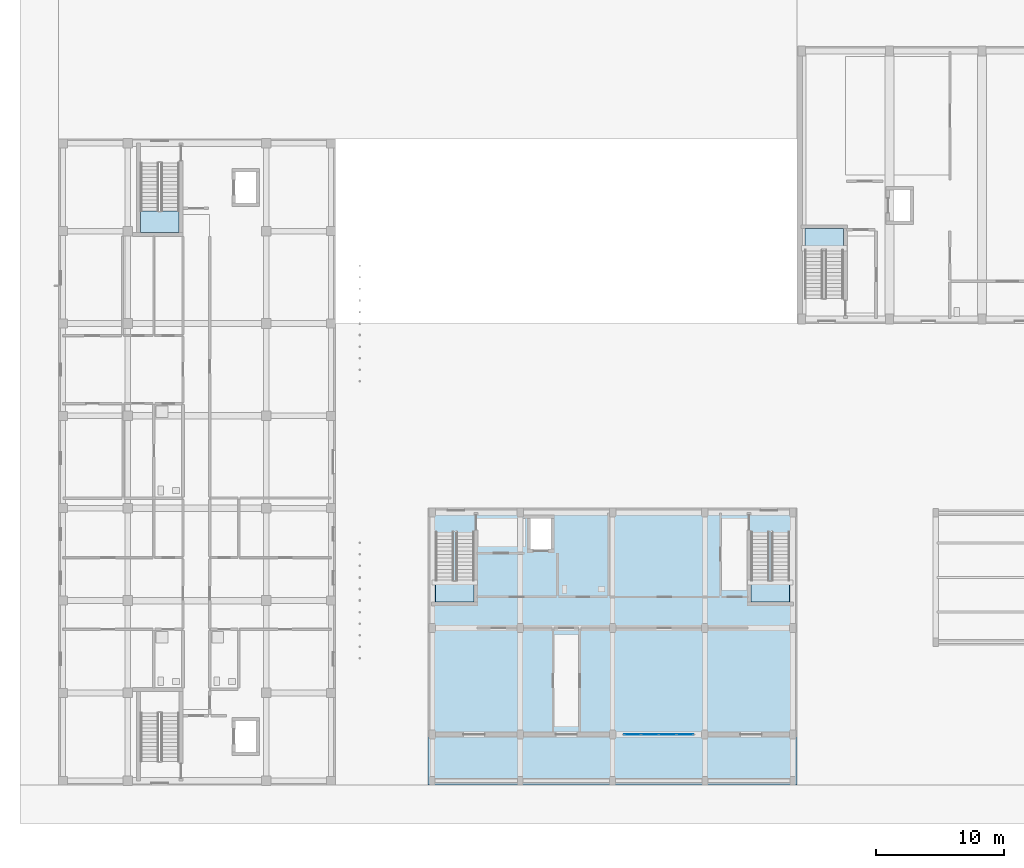
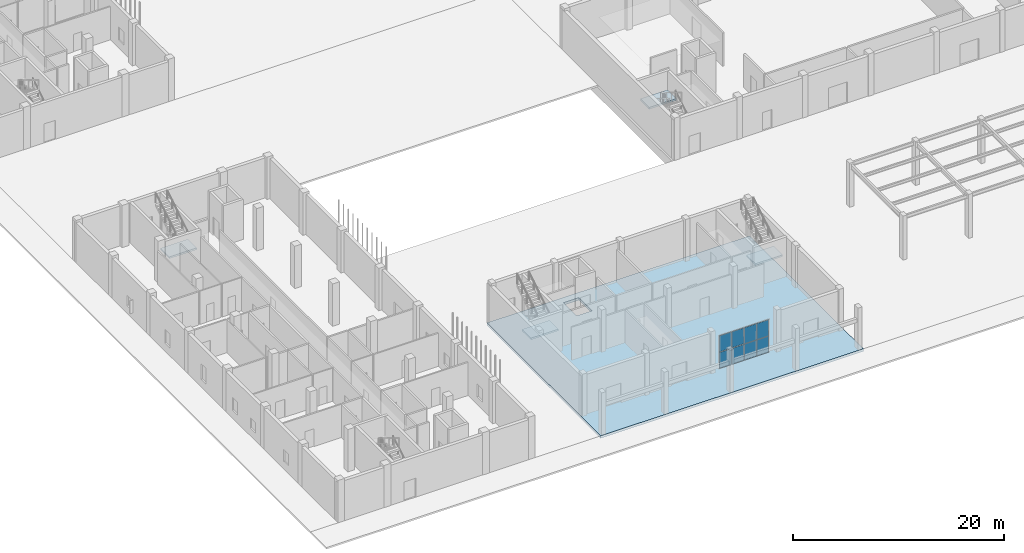
# One storey, part 30 of 85: 8 plates, 5 slabs, 5 elements without a shape of their own.
"""IFC4 building model written with IfcOpenShell, lengths in metres."""

from ifc_helpers import new_model, si_unit, derived_unit, direction, frame, origin, origin_2d, place, context, subcontext, project, spatial, polyline, rectangle, outline, extrude, material, layer, layer_set, type_object, element, aggregate, save


model = new_model("IFC4")

# Units and contexts
model_context = context("Model", 3, precision=1e-05, world=origin(), true_north=direction((0.0, 1.0)))
body_context = subcontext(model_context, "Body", "Model", "MODEL_VIEW")
ifc_project = project(units=[si_unit("LENGTHUNIT", "METRE"), si_unit("AREAUNIT", "SQUARE_METRE"), si_unit("VOLUMEUNIT", "CUBIC_METRE"), si_unit("PLANEANGLEUNIT", "RADIAN"), si_unit("MASSUNIT", "GRAM", prefix="KILO"), derived_unit("THERMALTRANSMITTANCEUNIT", [(si_unit("MASSUNIT", "GRAM", prefix="KILO"), 1), (si_unit("TIMEUNIT", "SECOND"), -3), (si_unit("THERMODYNAMICTEMPERATUREUNIT", "KELVIN"), -1)])], contexts=[model_context])

# Site, building, storey
site_placement = place(None, origin())
site = spatial("IfcSite", under=ifc_project, at=site_placement, CompositionType="ELEMENT")
building_placement = place(site_placement, origin())
building = spatial("IfcBuilding", under=site, at=building_placement, Name="Ochrekiln Boulevard Commons", CompositionType="ELEMENT")
storey_placement = place(building_placement, origin())
storey = spatial("IfcBuildingStorey", under=building, at=storey_placement, Name="L00", CompositionType="ELEMENT", Elevation=0.0)

# Curtain wall, plates
ifc_material_1 = material(Name="Bronze-anodized extruded aluminium 6063-T6", Category="aluminium")
ifc_layer_1 = layer(ifc_material_1, 0.2080078125)
ifc_layer_set_1 = layer_set([ifc_layer_1], Name="Bronze-anodized extruded aluminium 6063-T6")
curtain_wall_type = type_object("IfcCurtainWallType", Name="CW-SHOP", PredefinedType="USERDEFINED", material=ifc_layer_set_1)
curtain_wall_placement = place(storey_placement, origin())
curtain_wall = element("IfcCurtainWall", 1, at=curtain_wall_placement, inside=storey, type_object=curtain_wall_type, Name="West Boulevard Arcade Glazed Shopfront Curtain Wall 3", ObjectType="GLAZED CURTAIN WALL", PredefinedType="USERDEFINED")
ifc_material_2 = material(Name="Spectrally selective low-E insulated glazing", Category="glass")
ifc_layer_2 = layer(ifc_material_2, 0.030029296875)
ifc_layer_set_2 = layer_set([ifc_layer_2], Name="Spectrally selective low-E insulated glazing")
plate_type = type_object("IfcPlateType", Name="CWP-GLZ-2", PredefinedType="CURTAIN_PANEL", material=ifc_layer_set_2)
plate_1_placement = place(storey_placement, frame((44.753662109375, 3.949951171875, 0.06494140625), z_axis=(0.0, 0.0, 1.0), x_axis=(1.0, 0.0, 0.0)))
plate_1 = element("IfcPlate", 2, at=plate_1_placement, type_object=plate_type, Name="CW-04 panel 1.1", PredefinedType="CURTAIN_PANEL", context=body_context, shape_type="SweptSolid", body=[
    extrude(rectangle(XDim=1.277587890625, YDim=0.030029296875, at=origin_2d()), origin(), (0.0, 0.0, 1.0), 1.8525390625),
])
plate_2_placement = place(storey_placement, frame((44.753662109375, 3.949951171875, 1.982421875), z_axis=(0.0, 0.0, 1.0), x_axis=(1.0, 0.0, 0.0)))
plate_2 = element("IfcPlate", 3, at=plate_2_placement, type_object=plate_type, Name="CW-04 panel 1.2", PredefinedType="CURTAIN_PANEL", context=body_context, shape_type="SweptSolid", body=[
    extrude(rectangle(XDim=1.277587890625, YDim=0.030029296875, at=origin_2d()), origin(), (0.0, 0.0, 1.0), 1.8525390625),
])
plate_3_placement = place(storey_placement, frame((46.112548828125, 3.949951171875, 0.06494140625), z_axis=(0.0, 0.0, 1.0), x_axis=(1.0, 0.0, 0.0)))
plate_3 = element("IfcPlate", 4, at=plate_3_placement, type_object=plate_type, Name="CW-04 panel 2.1", PredefinedType="CURTAIN_PANEL", context=body_context, shape_type="SweptSolid", body=[
    extrude(rectangle(XDim=1.31005859375, YDim=0.030029296875, at=origin_2d()), origin(), (0.0, 0.0, 1.0), 1.8525390625),
])
plate_4_placement = place(storey_placement, frame((46.112548828125, 3.949951171875, 1.982421875), z_axis=(0.0, 0.0, 1.0), x_axis=(1.0, 0.0, 0.0)))
plate_4 = element("IfcPlate", 5, at=plate_4_placement, type_object=plate_type, Name="CW-04 panel 2.2", PredefinedType="CURTAIN_PANEL", context=body_context, shape_type="SweptSolid", body=[
    extrude(rectangle(XDim=1.31005859375, YDim=0.030029296875, at=origin_2d()), origin(), (0.0, 0.0, 1.0), 1.8525390625),
])
plate_5_placement = place(storey_placement, frame((47.487548828125, 3.949951171875, 0.06494140625), z_axis=(0.0, 0.0, 1.0), x_axis=(1.0, 0.0, 0.0)))
plate_5 = element("IfcPlate", 6, at=plate_5_placement, type_object=plate_type, Name="CW-04 panel 3.1", PredefinedType="CURTAIN_PANEL", context=body_context, shape_type="SweptSolid", body=[
    extrude(rectangle(XDim=1.31005859375, YDim=0.030029296875, at=origin_2d()), origin(), (0.0, 0.0, 1.0), 1.8525390625),
])
plate_6_placement = place(storey_placement, frame((47.487548828125, 3.949951171875, 1.982421875), z_axis=(0.0, 0.0, 1.0), x_axis=(1.0, 0.0, 0.0)))
plate_6 = element("IfcPlate", 7, at=plate_6_placement, type_object=plate_type, Name="CW-04 panel 3.2", PredefinedType="CURTAIN_PANEL", context=body_context, shape_type="SweptSolid", body=[
    extrude(rectangle(XDim=1.31005859375, YDim=0.030029296875, at=origin_2d()), origin(), (0.0, 0.0, 1.0), 1.8525390625),
])
plate_7_placement = place(storey_placement, frame((48.84619140625, 3.949951171875, 0.06494140625), z_axis=(0.0, 0.0, 1.0), x_axis=(1.0, 0.0, 0.0)))
plate_7 = element("IfcPlate", 8, at=plate_7_placement, type_object=plate_type, Name="CW-04 panel 4.1", PredefinedType="CURTAIN_PANEL", context=body_context, shape_type="SweptSolid", body=[
    extrude(rectangle(XDim=1.277587890625, YDim=0.030029296875, at=origin_2d()), origin(), (0.0, 0.0, 1.0), 1.8525390625),
])
plate_8_placement = place(storey_placement, frame((48.84619140625, 3.949951171875, 1.982421875), z_axis=(0.0, 0.0, 1.0), x_axis=(1.0, 0.0, 0.0)))
plate_8 = element("IfcPlate", 9, at=plate_8_placement, type_object=plate_type, Name="CW-04 panel 4.2", PredefinedType="CURTAIN_PANEL", context=body_context, shape_type="SweptSolid", body=[
    extrude(rectangle(XDim=1.277587890625, YDim=0.030029296875, at=origin_2d()), origin(), (0.0, 0.0, 1.0), 1.8525390625),
])
aggregate(curtain_wall, [plate_1, plate_2, plate_3, plate_4, plate_5, plate_6, plate_7, plate_8])

# Slab
ifc_material_3 = material(Name="Concrete C35/45", Category="concrete")
ifc_layer_3 = layer(ifc_material_3, 0.2900390625)
ifc_layer_set_3 = layer_set([ifc_layer_3], Name="Concrete C35/45")
slab_type_1 = type_object("IfcSlabType", Name="SLB-ARC-290", PredefinedType="FLOOR", material=ifc_layer_set_3)
slab_1_placement = place(storey_placement, frame((0.0, 0.0, -0.2900390625)))
element("IfcSlab", 10, at=slab_1_placement, inside=storey, type_object=slab_type_1, Name="West Boulevard Arcade L00 Floor Slab", PredefinedType="FLOOR", context=body_context, shape_type="SweptSolid", body=[
    extrude(outline(polyline([(28.800048828125, 0.0), (57.60009765625, 0.0), (57.60009765625, 21.60009765625), (28.800048828125, 21.60009765625), (28.800048828125, 0.0)]), holes=[polyline([(36.75, 18.35009765625), (38.449951171875, 18.35009765625), (38.449951171875, 20.85009765625), (36.75, 20.85009765625), (36.75, 18.35009765625)])]), origin(), (0.0, 0.0, 1.0), 0.2900390625),
])

# Stair, slab
stair_type = type_object("IfcStairType", Name="STR-DL-490", PredefinedType="TWO_STRAIGHT_RUN_STAIR", material=ifc_material_3)
stair_1_placement = place(storey_placement, origin())
stair_1 = element("IfcStair", 11, at=stair_1_placement, inside=storey, type_object=stair_type, Name="L00 Enclosed Exit Stair ST-D2", PredefinedType="TWO_STRAIGHT_RUN_STAIR")
ifc_layer_4 = layer(ifc_material_3, 0.199951171875)
ifc_layer_set_4 = layer_set([ifc_layer_4], Name="Concrete C35/45")
slab_type_2 = type_object("IfcSlabType", Name="SLB-LND-200", PredefinedType="LANDING", material=ifc_layer_set_4)
slab_2_placement = place(storey_placement, frame((0.0, 0.0, 2.25)))
slab_2 = element("IfcSlab", 12, at=slab_2_placement, type_object=slab_type_2, Name="ST-D2 landing 1", PredefinedType="LANDING", context=body_context, shape_type="SweptSolid", body=[
    extrude(outline(polyline([(6.39990234375, 44.760009765625), (6.39990234375, 43.080078125), (9.39990234375, 43.080078125), (9.39990234375, 44.760009765625), (6.39990234375, 44.760009765625)])), origin(), (0.0, 0.0, 1.0), 0.199951171875),
])
aggregate(stair_1, [slab_2])

stair_2_placement = place(storey_placement, origin())
stair_2 = element("IfcStair", 13, at=stair_2_placement, inside=storey, type_object=stair_type, Name="L00 Enclosed Exit Stair ST-H1", PredefinedType="TWO_STRAIGHT_RUN_STAIR")
slab_3_placement = place(storey_placement, frame((0.0, 0.0, 2.25)))
slab_3 = element("IfcSlab", 14, at=slab_3_placement, type_object=slab_type_2, Name="ST-H1 landing 1", PredefinedType="LANDING", context=body_context, shape_type="SweptSolid", body=[
    extrude(outline(polyline([(61.199951171875, 41.719970703125), (61.199951171875, 43.39990234375), (58.199951171875, 43.39990234375), (58.199951171875, 41.719970703125), (61.199951171875, 41.719970703125)])), origin(), (0.0, 0.0, 1.0), 0.199951171875),
])
aggregate(stair_2, [slab_3])

stair_3_placement = place(storey_placement, origin())
stair_3 = element("IfcStair", 15, at=stair_3_placement, inside=storey, type_object=stair_type, Name="L00 Enclosed Exit Stair ST-W1", PredefinedType="TWO_STRAIGHT_RUN_STAIR")
slab_4_placement = place(storey_placement, frame((0.0, 0.0, 2.25)))
slab_4 = element("IfcSlab", 16, at=slab_4_placement, type_object=slab_type_2, Name="ST-W1 landing 1", PredefinedType="LANDING", context=body_context, shape_type="SweptSolid", body=[
    extrude(outline(polyline([(29.39990234375, 15.9599609375), (29.39990234375, 14.280029296875), (32.39990234375, 14.280029296875), (32.39990234375, 15.9599609375), (29.39990234375, 15.9599609375)])), origin(), (0.0, 0.0, 1.0), 0.199951171875),
])
aggregate(stair_3, [slab_4])

stair_4_placement = place(storey_placement, origin())
stair_4 = element("IfcStair", 17, at=stair_4_placement, inside=storey, type_object=stair_type, Name="L00 Enclosed Exit Stair ST-W2", PredefinedType="TWO_STRAIGHT_RUN_STAIR")
slab_5_placement = place(storey_placement, frame((0.0, 0.0, 2.25)))
slab_5 = element("IfcSlab", 18, at=slab_5_placement, type_object=slab_type_2, Name="ST-W2 landing 1", PredefinedType="LANDING", context=body_context, shape_type="SweptSolid", body=[
    extrude(outline(polyline([(54.0, 15.9599609375), (54.0, 14.280029296875), (57.0, 14.280029296875), (57.0, 15.9599609375), (54.0, 15.9599609375)])), origin(), (0.0, 0.0, 1.0), 0.199951171875),
])
aggregate(stair_4, [slab_5])

save(model, "model.ifc")
